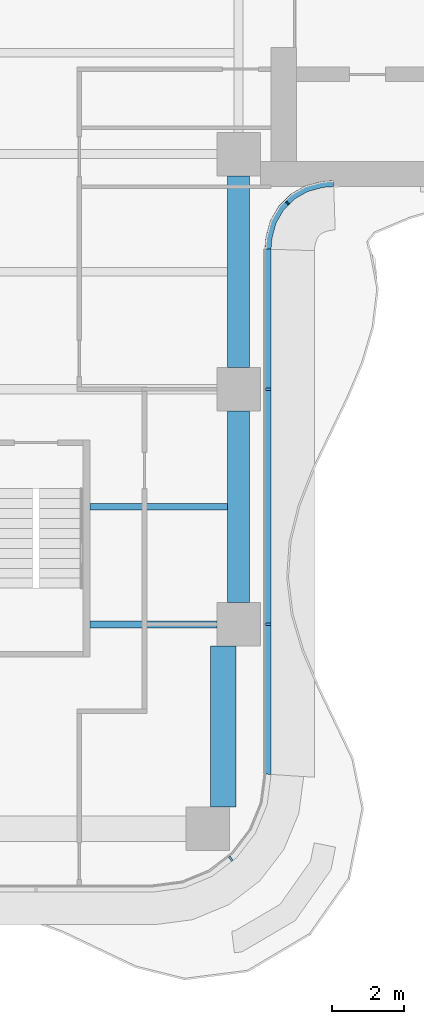
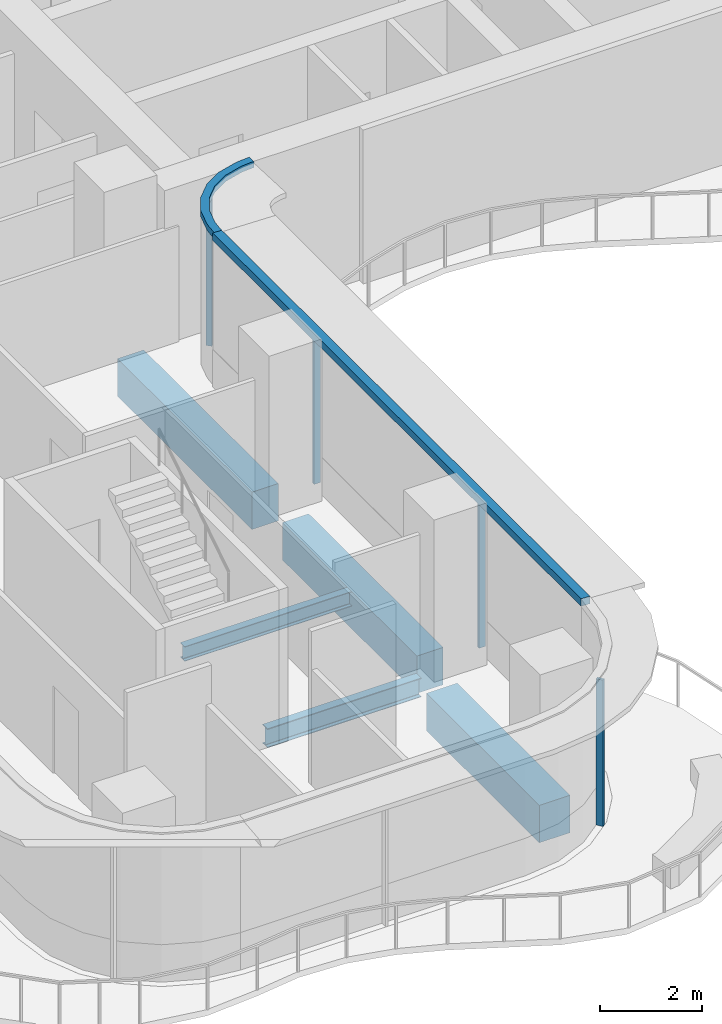
# One storey, part 5 of 17: 6 members, 5 beams, 3 elements without a shape of their own.
"""IFC4 building model written with IfcOpenShell, lengths in metres."""

from ifc_helpers import new_model, si_unit, direction, frame, origin, origin_2d, place, context, subcontext, project, spatial, polyline, rectangle, i_section, outline, extrude, source, transform, mapped, material, layer, layer_set, material_profile, profile_set, type_object, element, aggregate, save


model = new_model("IFC4")

# Units and contexts
model_context = context("Model", 3, precision=1e-05, world=origin(), true_north=direction((0.0, 1.0)))
body_context = subcontext(model_context, "Body", "Model", "MODEL_VIEW")
ifc_project = project(units=[si_unit("LENGTHUNIT", "METRE"), si_unit("AREAUNIT", "SQUARE_METRE"), si_unit("VOLUMEUNIT", "CUBIC_METRE"), si_unit("PLANEANGLEUNIT", "RADIAN"), si_unit("MASSUNIT", "GRAM", prefix="KILO")], contexts=[model_context])

# Site, building, storey
site_placement = place(None, origin())
site = spatial("IfcSite", under=ifc_project, at=site_placement, CompositionType="ELEMENT")
building_placement = place(site_placement, origin())
building = spatial("IfcBuilding", under=site, at=building_placement, Name="Trellis Farm Tower", CompositionType="ELEMENT")
storey_placement = place(building_placement, frame((0.0, 0.0, 181.5)))
storey = spatial("IfcBuildingStorey", under=building, at=storey_placement, Name="L39", CompositionType="ELEMENT", Elevation=181.5)

# Beams
ifc_material_1 = material(Name="Steel S355", Category="steel")
ifc_material_profile_1 = material_profile(ifc_material_1, i_section(OverallWidth=0.1904296875, OverallDepth=0.45703125, WebThickness=0.009033203125, FlangeThickness=0.014404296875, FilletRadius=0.01025390625, at=origin_2d()), Name="UB 457x191x74")
ifc_profile_set_1 = profile_set([ifc_material_profile_1], Name="Steel S355")
beam_type_1 = type_object("IfcBeamType", Name="UB 457x191x74", PredefinedType="BEAM", material=ifc_profile_set_1)
shared_shape_1 = source(origin(), body_context, "Body", "SweptSolid", [
    extrude(i_section(OverallWidth=0.1904296875, OverallDepth=0.45703125, WebThickness=0.009033203125, FlangeThickness=0.014404296875, FilletRadius=0.01025390625, at=origin_2d()), origin(), (0.0, 0.0, 1.0), 3.5),
])
beam_1_placement = place(storey_placement, frame((1.5, -18.60009765625, -0.428466796875), z_axis=(1.0, 0.0, 0.0), x_axis=(0.0, 1.0, 0.0)))
element("IfcBeam", 1, at=beam_1_placement, inside=storey, type_object=beam_type_1, Name="Girder", PredefinedType="BEAM", context=body_context, shape_type="MappedRepresentation", body=[
    mapped(shared_shape_1, transform((0.0, 0.0, 0.0))),
])
ifc_material_2 = material(Name="Concrete C60/75", Category="concrete")
ifc_material_profile_2 = material_profile(ifc_material_2, rectangle(XDim=0.60009765625, YDim=0.89990234375, at=origin_2d()), Name="RC spandrel beam 600x900 C60/75")
ifc_profile_set_2 = profile_set([ifc_material_profile_2], Name="Concrete C60/75")
beam_type_2 = type_object("IfcBeamType", Name="RC spandrel beam 600x900 C60/75", PredefinedType="SPANDREL", material=ifc_profile_set_2)
shared_shape_2 = source(origin(), body_context, "Body", "SweptSolid", [
    extrude(rectangle(XDim=0.60009765625, YDim=0.89990234375, at=origin_2d()), origin(), (0.0, 0.0, 1.0), 5.300048828125),
])
for number, where, z_axis, x_axis, name in (
    (2, (5.60009765625, -18.0, -0.64990234375), (0.0, 1.0, 0.0), (-1.0, 0.0, 0.0), "Girder"),
    (3, (5.60009765625, -11.5, -0.64990234375), (0.0, 1.0, 0.0), (-1.0, 0.0, 0.0), "Girder"),
):
    element("IfcBeam", number, at=place(storey_placement, frame(where, z_axis=z_axis, x_axis=x_axis)), inside=storey, type_object=beam_type_2, Name=name, PredefinedType="SPANDREL", context=body_context, shape_type="MappedRepresentation", body=[
        mapped(shared_shape_2, transform((0.0, 0.0, 0.0))),
    ])
ifc_material_profile_3 = material_profile(ifc_material_2, rectangle(XDim=0.699951171875, YDim=0.89990234375, at=origin_2d()), Name="RC spandrel beam 700x900 C60/75")
ifc_profile_set_3 = profile_set([ifc_material_profile_3], Name="Concrete C60/75")
beam_type_3 = type_object("IfcBeamType", Name="RC spandrel beam 700x900 C60/75", PredefinedType="SPANDREL", material=ifc_profile_set_3)
shared_shape_3 = source(origin(), body_context, "Body", "SweptSolid", [
    extrude(rectangle(XDim=0.699951171875, YDim=0.89990234375, at=origin_2d()), origin(), (0.0, 0.0, 1.0), 4.449951171875),
])
beam_2_placement = place(storey_placement, frame((5.175048828125, -23.64990234375, -0.64990234375), z_axis=(0.0, 1.0, 0.0), x_axis=(-1.0, 0.0, 0.0)))
element("IfcBeam", 4, at=beam_2_placement, inside=storey, type_object=beam_type_3, Name="Girder", PredefinedType="SPANDREL", context=body_context, shape_type="MappedRepresentation", body=[
    mapped(shared_shape_3, transform((0.0, 0.0, 0.0))),
])
ifc_material_profile_4 = material_profile(ifc_material_1, i_section(OverallWidth=0.17138671875, OverallDepth=0.35498046875, WebThickness=0.00732421875, FlangeThickness=0.011474609375, FilletRadius=0.01025390625, at=origin_2d()), Name="UB 356x171x51")
ifc_profile_set_4 = profile_set([ifc_material_profile_4], Name="Steel S355")
beam_type_4 = type_object("IfcBeamType", Name="UB 356x171x51 joist", PredefinedType="JOIST", material=ifc_profile_set_4)
shared_shape_4 = source(origin(), body_context, "Body", "SweptSolid", [
    extrude(i_section(OverallWidth=0.17138671875, OverallDepth=0.35498046875, WebThickness=0.00732421875, FlangeThickness=0.011474609375, FilletRadius=0.01025390625, at=origin_2d()), origin(), (0.0, 0.0, 1.0), 3.800048828125),
])
beam_3_placement = place(storey_placement, frame((1.5, -15.35009765625, -0.37744140625), z_axis=(1.0, 0.0, 0.0), x_axis=(0.0, 1.0, 0.0)))
element("IfcBeam", 5, at=beam_3_placement, inside=storey, type_object=beam_type_4, Name="Floor beam", PredefinedType="JOIST", context=body_context, shape_type="MappedRepresentation", body=[
    mapped(shared_shape_4, transform((0.0, 0.0, 0.0))),
])

# Curtain wall, member
ifc_material_3 = material(Name="Aluminium and glass curtain wall", Category="aluminium")
ifc_layer_1 = layer(ifc_material_3, 0.166015625)
ifc_layer_set_1 = layer_set([ifc_layer_1], Name="WINTER GARDEN CURTAIN WALL CW3")
curtain_wall_type_1 = type_object("IfcCurtainWallType", Name="WINTER GARDEN CURTAIN WALL CW3", PredefinedType="NOTDEFINED", material=ifc_layer_set_1)
placement = place(storey_placement, origin())
curtain_wall_1 = element("IfcCurtainWall", 6, at=placement, inside=storey, type_object=curtain_wall_type_1, Name="CW3 002", PredefinedType="NOTDEFINED")
ifc_material_4 = material(Name="Aluminium extrusion 6063-T6", Category="aluminium")
ifc_layer_2 = layer(ifc_material_4, 0.169921875)
ifc_layer_set_2 = layer_set([ifc_layer_2], Name="Aluminium extrusion 6063-T6")
member_type_1 = type_object("IfcMemberType", Name="CW3 TRANSOM 170x150", PredefinedType="USERDEFINED", material=ifc_layer_set_2)
shared_shape_5 = source(origin(), body_context, "Body", "SweptSolid", [
    extrude(outline(polyline([(6.5, -8.2314453125), (6.513916015625, -8.01953125), (6.527587890625, -7.91552734375), (6.63671875, -7.508544921875), (6.846923828125, -7.144287109375), (7.144287109375, -6.846923828125), (7.508544921875, -6.63671875), (7.91552734375, -6.527587890625), (8.01953125, -6.513916015625), (8.2314453125, -6.5), (8.225830078125, -6.330078125), (8.0029296875, -6.3447265625), (7.88232421875, -6.360595703125), (7.44287109375, -6.478271484375), (7.0400390625, -6.7109375), (6.7109375, -7.0400390625), (6.478271484375, -7.44287109375), (6.360595703125, -7.88232421875), (6.3447265625, -8.0029296875), (6.330078125, -8.225830078125), (6.5, -8.2314453125)])), origin(), (0.0, 0.0, 1.0), 0.14990234375),
])
member_1_placement = place(storey_placement, frame((0.0, 0.0, 3.550048828125)))
member_1 = element("IfcMember", 7, at=member_1_placement, type_object=member_type_1, Name="TR3 002", ObjectType="TRANSOM", PredefinedType="USERDEFINED", context=body_context, shape_type="MappedRepresentation", body=[
    mapped(shared_shape_5, transform((0.0, 0.0, 0.0))),
])

ifc_layer_3 = layer(ifc_material_3, 0.18994140625)
ifc_layer_set_3 = layer_set([ifc_layer_3], Name="RIBBON CURTAIN WALL CW1")
curtain_wall_type_2 = type_object("IfcCurtainWallType", Name="RIBBON CURTAIN WALL CW1", PredefinedType="NOTDEFINED", material=ifc_layer_set_3)
curtain_wall_2 = element("IfcCurtainWall", 8, at=placement, inside=storey, type_object=curtain_wall_type_2, Name="CW1 004", PredefinedType="NOTDEFINED")
ifc_layer_4 = layer(ifc_material_4, 0.199951171875)
ifc_layer_set_4 = layer_set([ifc_layer_4], Name="Aluminium extrusion 6063-T6")
member_type_2 = type_object("IfcMemberType", Name="CW1 TRANSOM 200x180", PredefinedType="USERDEFINED", material=ifc_layer_set_4)
shared_shape_6 = source(origin(), body_context, "Body", "SweptSolid", [
    extrude(outline(polyline([(6.5, -22.75), (6.5, -8.2314453125), (6.300048828125, -8.224853515625), (6.300048828125, -22.73681640625), (6.5, -22.75)])), origin(), (0.0, 0.0, 1.0), 0.179931640625),
])
member_2_placement = place(storey_placement, frame((0.0, 0.0, 3.52001953125)))
member_2 = element("IfcMember", 9, at=member_2_placement, type_object=member_type_2, Name="TR1 004", ObjectType="TRANSOM", PredefinedType="USERDEFINED", context=body_context, shape_type="MappedRepresentation", body=[
    mapped(shared_shape_6, transform((0.0, 0.0, 0.0))),
])

curtain_wall_3 = element("IfcCurtainWall", 10, at=placement, inside=storey, type_object=curtain_wall_type_2, Name="CW1 003", PredefinedType="NOTDEFINED")
ifc_material_profile_5 = material_profile(ifc_material_4, rectangle(XDim=0.06005859375, YDim=0.14990234375, at=origin_2d()), Name="MULLION 60x150")
ifc_profile_set_5 = profile_set([ifc_material_profile_5], Name="Aluminium extrusion 6063-T6")
member_type_3 = type_object("IfcMemberType", Name="CW1 MULLION 60x150", PredefinedType="MULLION", material=ifc_profile_set_5)
shared_shape_7 = source(origin(), body_context, "Body", "SweptSolid", [
    extrude(rectangle(XDim=0.06005859375, YDim=0.14990234375, at=origin_2d()), origin(), (0.0, 0.0, 1.0), 3.52001953125),
])
member_3_placement = place(storey_placement, frame((5.385498046875, -25.078369140625, 0.0), z_axis=(0.0, 0.0, 1.0), x_axis=(0.793353340291, 0.608761429009, 0.0)))
member_3 = element("IfcMember", 11, at=member_3_placement, type_object=member_type_3, Name="MU1 003-02", PredefinedType="MULLION", context=body_context, shape_type="MappedRepresentation", body=[
    mapped(shared_shape_7, transform((0.0, 0.0, 0.0))),
])
aggregate(curtain_wall_3, [member_3])

# Member
member_4_placement = place(storey_placement, frame((6.425048828125, -18.60009765625, 0.0), z_axis=(0.0, 0.0, 1.0), x_axis=(0.0, 1.0, 0.0)))
member_4 = element("IfcMember", 12, at=member_4_placement, type_object=member_type_3, Name="MU1 004-01", PredefinedType="MULLION", context=body_context, shape_type="MappedRepresentation", body=[
    mapped(shared_shape_7, transform((0.0, 0.0, 0.0))),
])

member_5_placement = place(storey_placement, frame((6.425048828125, -12.10009765625, 0.0), z_axis=(0.0, 0.0, 1.0), x_axis=(0.0, 1.0, 0.0)))
member_5 = element("IfcMember", 13, at=member_5_placement, type_object=member_type_3, Name="MU1 004-02", PredefinedType="MULLION", context=body_context, shape_type="MappedRepresentation", body=[
    mapped(shared_shape_7, transform((0.0, 0.0, 0.0))),
])

aggregate(curtain_wall_2, [member_4, member_5, member_2])

ifc_material_profile_6 = material_profile(ifc_material_4, rectangle(XDim=0.050048828125, YDim=0.1201171875, at=origin_2d()), Name="MULLION 50x120")
ifc_profile_set_6 = profile_set([ifc_material_profile_6], Name="Aluminium extrusion 6063-T6")
member_type_4 = type_object("IfcMemberType", Name="CW3 MULLION 50x120", PredefinedType="MULLION", material=ifc_profile_set_6)
shared_shape_8 = source(origin(), body_context, "Body", "SweptSolid", [
    extrude(rectangle(XDim=0.050048828125, YDim=0.1201171875, at=origin_2d()), origin(), (0.0, 0.0, 1.0), 3.550048828125),
])
member_6_placement = place(storey_placement, frame((6.953125, -6.953125, 0.0), z_axis=(0.0, 0.0, 1.0), x_axis=(0.707106781187, 0.707106781187, 0.0)))
member_6 = element("IfcMember", 14, at=member_6_placement, type_object=member_type_4, Name="MU3 002-01", PredefinedType="MULLION", context=body_context, shape_type="MappedRepresentation", body=[
    mapped(shared_shape_8, transform((0.0, 0.0, 0.0))),
])

aggregate(curtain_wall_1, [member_6, member_1])

save(model, "model.ifc")
